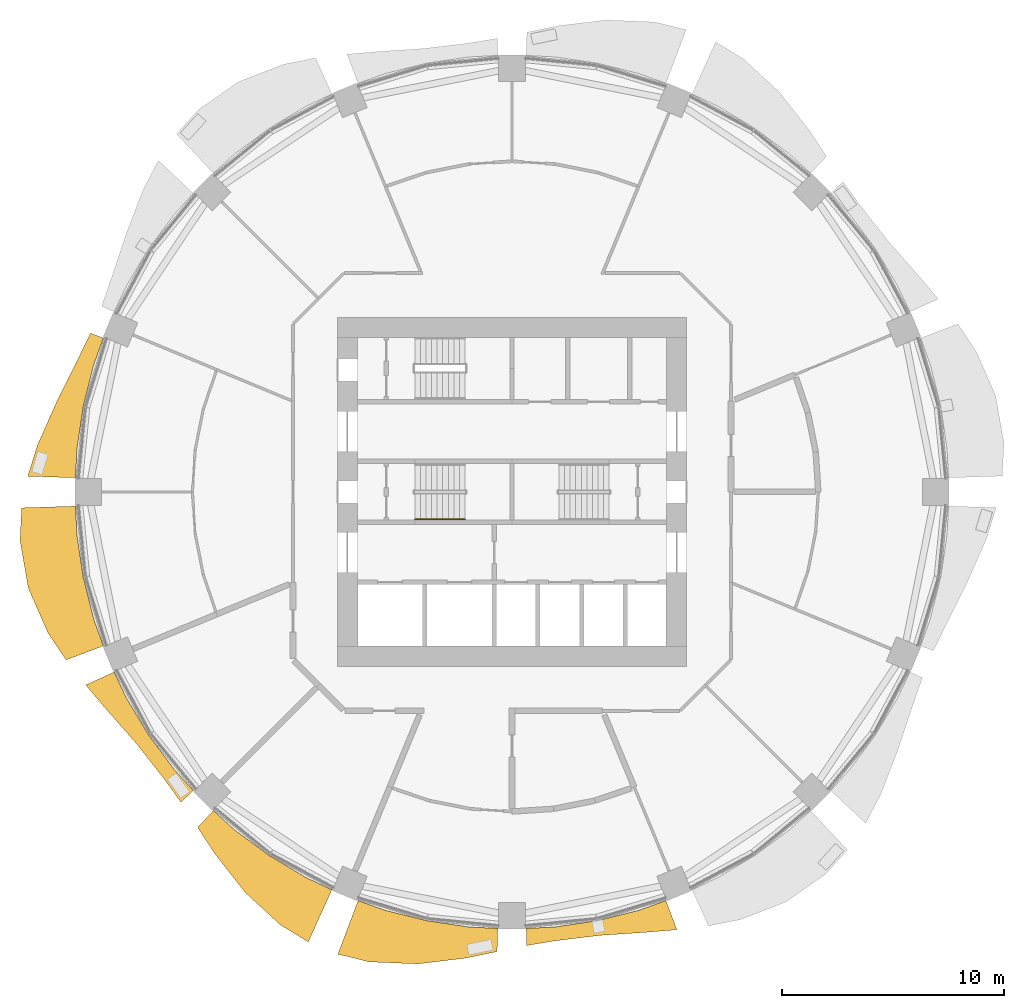
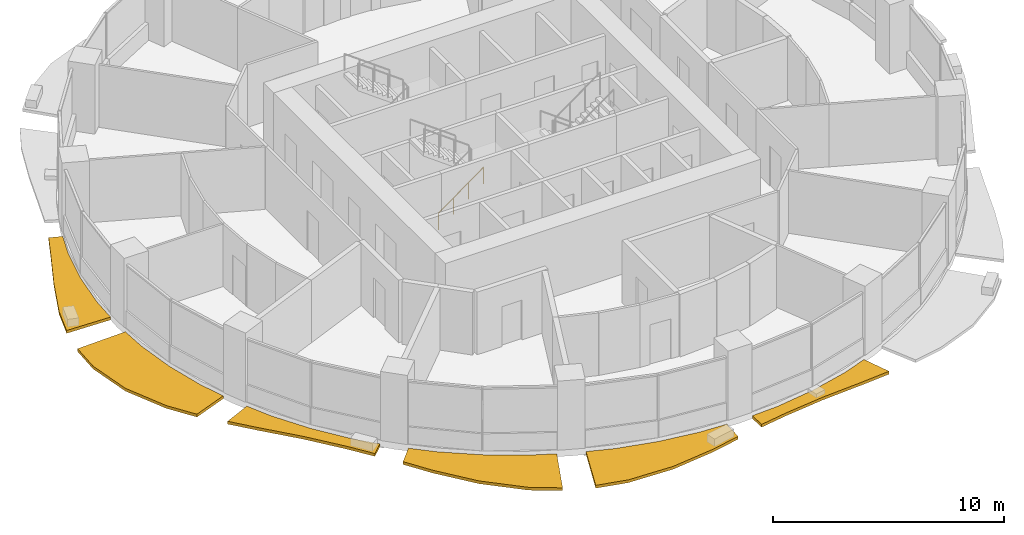
# One storey, part 12 of 15: 6 shading devices, 1 railing.
"""IFC4 building model written with IfcOpenShell, lengths in metres."""

from ifc_helpers import new_model, si_unit, direction, frame, origin, origin_2d, place, context, subcontext, project, spatial, polyline, circle, outline, extrude, material, type_object, element, save


model = new_model("IFC4")

# Units and contexts
model_context = context("Model", 3, precision=1e-05, world=origin(), true_north=direction((0.0, 1.0)))
body_context = subcontext(model_context, "Body", "Model", "MODEL_VIEW")
ifc_project = project(units=[si_unit("LENGTHUNIT", "METRE"), si_unit("AREAUNIT", "SQUARE_METRE"), si_unit("VOLUMEUNIT", "CUBIC_METRE"), si_unit("PLANEANGLEUNIT", "RADIAN"), si_unit("MASSUNIT", "GRAM", prefix="KILO")], contexts=[model_context])

# Site, building, storey
site_placement = place(None, origin())
site = spatial("IfcSite", under=ifc_project, at=site_placement, CompositionType="ELEMENT")
building_placement = place(site_placement, origin())
building = spatial("IfcBuilding", under=site, at=building_placement, Name="Polderwave Tower", CompositionType="ELEMENT")
storey_placement = place(building_placement, frame((0.0, 0.0, 37.14990234375)))
storey = spatial("IfcBuildingStorey", under=building, at=storey_placement, Name="L09", CompositionType="ELEMENT", Elevation=37.14990234375)

# Railing
ifc_material_1 = material(Name="Stainless steel", Category="steel")
railing_type = type_object("IfcRailingType", Name="Stair handrail 900", PredefinedType="HANDRAIL", material=ifc_material_1)
railing_placement = place(storey_placement, frame((-4.3740234375, -1.22509765625, 0.1826171875)))
element("IfcRailing", 1, at=railing_placement, inside=storey, type_object=railing_type, Name="L09 ST-A stair handrail 1", PredefinedType="HANDRAIL", context=body_context, shape_type="SweptSolid", body=[
    extrude(circle(Radius=0.02392578125, at=origin_2d()), frame((0.0, 0.0, 0.8759765625), z_axis=(0.807673635365, 0.0, 0.58962979804), x_axis=(0.0, 1.0, 0.0)), (0.0, 0.0, 1.0), 2.785888671875),
    extrude(circle(Radius=0.02099609375, at=origin_2d()), origin(), (0.0, 0.0, 1.0), 0.851806640625),
    extrude(circle(Radius=0.02099609375, at=origin_2d()), frame((0.75, 0.0, 0.547607421875)), (0.0, 0.0, 1.0), 0.851806640625),
    extrude(circle(Radius=0.02099609375, at=origin_2d()), frame((1.5, 0.0, 1.094970703125)), (0.0, 0.0, 1.0), 0.851806640625),
    extrude(circle(Radius=0.02099609375, at=origin_2d()), frame((2.25, 0.0, 1.642578125)), (0.0, 0.0, 1.0), 0.851806640625),
])

# Shading devices
ifc_material_2 = material(Name="Terracotta", Category="masonry")
shading_device_type = type_object("IfcShadingDeviceType", Name="Terracotta sunshade band", PredefinedType="USERDEFINED", material=ifc_material_2)
shading_device_1_placement = place(storey_placement, frame((0.0, 0.0, -0.349853515625)))
element("IfcShadingDevice", 2, at=shading_device_1_placement, inside=storey, type_object=shading_device_type, Name="Sunshade band L09 8", ObjectType="SUNSHADE", PredefinedType="USERDEFINED", context=body_context, shape_type="SweptSolid", body=[
    extrude(outline(polyline([(-18.4248046875, 6.94140625), (-18.861328125, 5.721435546875), (-19.331298828125, 3.84521484375), (-19.614990234375, 1.931884765625), (-19.6787109375, 0.637939453125), (-21.83203125, 0.707763671875), (-21.3984375, 2.107666015625), (-20.522216796875, 4.08203125), (-19.594970703125, 5.944091796875), (-19.00341796875, 7.1591796875), (-18.4248046875, 6.94140625)])), origin(), (0.0, 0.0, 1.0), 0.14990234375),
])
shading_device_2_placement = place(storey_placement, frame((0.0, 0.0, -0.349853515625)))
element("IfcShadingDevice", 3, at=shading_device_2_placement, inside=storey, type_object=shading_device_type, Name="Sunshade band L09 9", ObjectType="SUNSHADE", PredefinedType="USERDEFINED", context=body_context, shape_type="SweptSolid", body=[
    extrude(outline(polyline([(-19.6787109375, -0.637939453125), (-19.614990234375, -1.931884765625), (-19.331298828125, -3.84521484375), (-18.861328125, -5.721435546875), (-18.4248046875, -6.94140625), (-20.105712890625, -7.57470703125), (-20.926513671875, -6.347900390625), (-21.807861328125, -4.337890625), (-22.182861328125, -2.184814453125), (-22.10595703125, -0.716552734375), (-19.6787109375, -0.637939453125)])), origin(), (0.0, 0.0, 1.0), 0.14990234375),
])
shading_device_3_placement = place(storey_placement, frame((0.0, 0.0, -0.349853515625)))
element("IfcShadingDevice", 4, at=shading_device_3_placement, inside=storey, type_object=shading_device_type, Name="Sunshade band L09 10", ObjectType="SUNSHADE", PredefinedType="USERDEFINED", context=body_context, shape_type="SweptSolid", body=[
    extrude(outline(polyline([(-17.9365234375, -8.1201171875), (-17.3828125, -9.291259765625), (-16.38818359375, -10.9501953125), (-15.236083984375, -12.50390625), (-14.365966796875, -13.4638671875), (-14.92626953125, -13.989013671875), (-15.714111328125, -12.896240234375), (-16.951416015625, -11.32666015625), (-18.30615234375, -9.784912109375), (-19.22119140625, -8.701416015625), (-17.9365234375, -8.1201171875)])), origin(), (0.0, 0.0, 1.0), 0.14990234375),
])
shading_device_4_placement = place(storey_placement, frame((0.0, 0.0, -0.349853515625)))
element("IfcShadingDevice", 5, at=shading_device_4_placement, inside=storey, type_object=shading_device_type, Name="Sunshade band L09 11", ObjectType="SUNSHADE", PredefinedType="USERDEFINED", context=body_context, shape_type="SweptSolid", body=[
    extrude(outline(polyline([(-13.4638671875, -14.365966796875), (-12.50390625, -15.236083984375), (-10.9501953125, -16.38818359375), (-9.291259765625, -17.3828125), (-8.1201171875, -17.9365234375), (-9.184326171875, -20.28759765625), (-10.4365234375, -19.525390625), (-12.05029296875, -18.0341796875), (-13.393310546875, -16.319580078125), (-14.17529296875, -15.125), (-13.4638671875, -14.365966796875)])), origin(), (0.0, 0.0, 1.0), 0.14990234375),
])
shading_device_5_placement = place(storey_placement, frame((0.0, 0.0, -0.349853515625)))
element("IfcShadingDevice", 6, at=shading_device_5_placement, inside=storey, type_object=shading_device_type, Name="Sunshade band L09 12", ObjectType="SUNSHADE", PredefinedType="USERDEFINED", context=body_context, shape_type="SweptSolid", body=[
    extrude(outline(polyline([(-6.94140625, -18.4248046875), (-5.721435546875, -18.861328125), (-3.84521484375, -19.331298828125), (-1.931884765625, -19.614990234375), (-0.637939453125, -19.6787109375), (-0.671875, -20.7236328125), (-2.06982421875, -21.016357421875), (-4.232666015625, -21.27880859375), (-6.427734375, -21.189697265625), (-7.8515625, -20.8408203125), (-6.94140625, -18.4248046875)])), origin(), (0.0, 0.0, 1.0), 0.14990234375),
])
shading_device_6_placement = place(storey_placement, frame((0.0, 0.0, -0.349853515625)))
element("IfcShadingDevice", 7, at=shading_device_6_placement, inside=storey, type_object=shading_device_type, Name="Sunshade band L09 13", ObjectType="SUNSHADE", PredefinedType="USERDEFINED", context=body_context, shape_type="SweptSolid", body=[
    extrude(outline(polyline([(0.637939453125, -19.6787109375), (1.931884765625, -19.614990234375), (3.84521484375, -19.331298828125), (5.721435546875, -18.861328125), (6.94140625, -18.4248046875), (7.436279296875, -19.73828125), (6.02392578125, -19.858154296875), (3.976806640625, -19.9931640625), (1.99267578125, -20.23193359375), (0.662841796875, -20.44970703125), (0.637939453125, -19.6787109375)])), origin(), (0.0, 0.0, 1.0), 0.14990234375),
])

save(model, "model.ifc")
